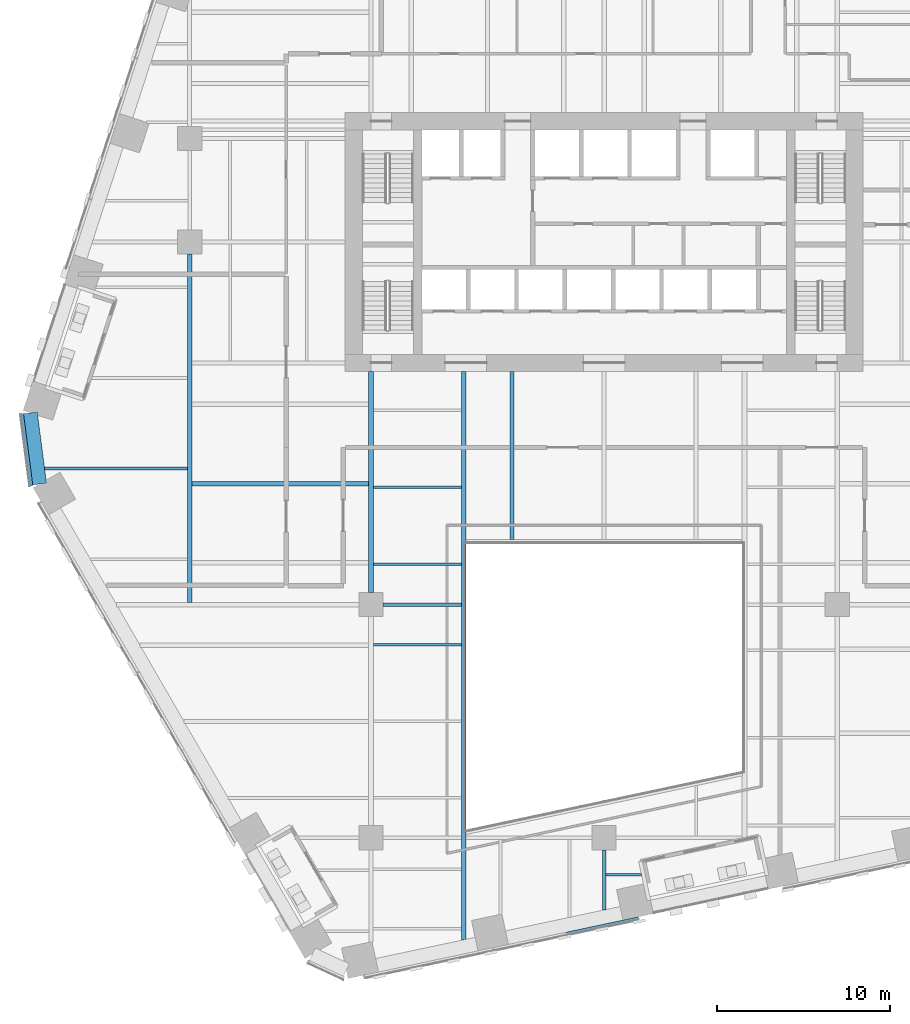
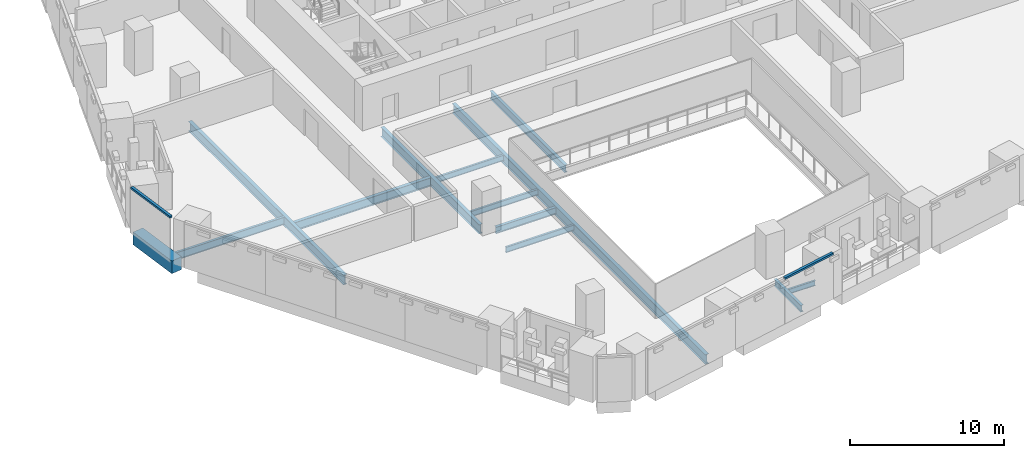
# One storey, part 4 of 31: 13 beams, 2 members, 2 elements without a shape of their own.
"""IFC4 building model written with IfcOpenShell, lengths in metres."""

from ifc_helpers import new_model, si_unit, direction, frame, origin, origin_2d, place, context, subcontext, project, spatial, rectangle, i_section, extrude, material, layer, layer_set, material_profile, profile_set, type_object, element, aggregate, save


model = new_model("IFC4")

# Units and contexts
model_context = context("Model", 3, precision=1e-05, world=origin(), true_north=direction((0.0, 1.0)))
body_context = subcontext(model_context, "Body", "Model", "MODEL_VIEW")
ifc_project = project(units=[si_unit("LENGTHUNIT", "METRE"), si_unit("AREAUNIT", "SQUARE_METRE"), si_unit("VOLUMEUNIT", "CUBIC_METRE"), si_unit("PLANEANGLEUNIT", "RADIAN"), si_unit("MASSUNIT", "GRAM", prefix="KILO")], contexts=[model_context])

# Site, building, storey
site_placement = place(None, origin())
site = spatial("IfcSite", under=ifc_project, at=site_placement, CompositionType="ELEMENT")
building_placement = place(site_placement, origin())
building = spatial("IfcBuilding", under=site, at=building_placement, Name="Isthmus Gate Tower", CompositionType="ELEMENT")
storey_placement = place(building_placement, frame((0.0, 0.0, 39.64990234375)))
storey = spatial("IfcBuildingStorey", under=building, at=storey_placement, Name="L07", CompositionType="ELEMENT", Elevation=39.64990234375)

# Curtain wall, member
ifc_material_1 = material(Name="Aluminium, pale champagne anodised", Category="aluminium")
ifc_layer = layer(ifc_material_1, 0.199951171875)
ifc_layer_set = layer_set([ifc_layer], Name="CW-1 UNITISED CURTAIN WALL 200 DEEP")
curtain_wall_type = type_object("IfcCurtainWallType", Name="CW-1 UNITISED CURTAIN WALL 200 DEEP", PredefinedType="NOTDEFINED", material=ifc_layer_set)
curtain_wall_1_placement = place(storey_placement, origin())
curtain_wall_1 = element("IfcCurtainWall", 1, at=curtain_wall_1_placement, inside=storey, type_object=curtain_wall_type, Name="CW-1 NW-SW L07", PredefinedType="NOTDEFINED")
ifc_material_2 = material(Name="Aluminium, pale champagne anodised", Category="aluminium")
ifc_material_profile_1 = material_profile(ifc_material_2, rectangle(XDim=0.199951171875, YDim=0.14990234375, at=origin_2d()), Name="200x150")
ifc_profile_set_1 = profile_set([ifc_material_profile_1], Name="Aluminium, pale champagne anodised")
member_type = type_object("IfcMemberType", Name="CW-1 TRANSOM 200 X 150", PredefinedType="USERDEFINED", material=ifc_profile_set_1)
member_1_placement = place(storey_placement, frame((-33.71923828125, -2.474609375, 3.5751953125), z_axis=(0.129206893318, -0.991617657527, 0.0), x_axis=(0.991617657527, 0.129206893318, 0.0)))
member_1 = element("IfcMember", 2, at=member_1_placement, type_object=member_type, Name="CW-1 transom", ObjectType="TRANSOM", PredefinedType="USERDEFINED", context=body_context, shape_type="SweptSolid", body=[
    extrude(rectangle(XDim=0.199951171875, YDim=0.14990234375, at=origin_2d()), origin(), (0.0, 0.0, 1.0), 4.181640625),
])
aggregate(curtain_wall_1, [member_1])

curtain_wall_2_placement = place(storey_placement, origin())
curtain_wall_2 = element("IfcCurtainWall", 3, at=curtain_wall_2_placement, inside=storey, type_object=curtain_wall_type, Name="CW-1 S L07", PredefinedType="NOTDEFINED")
member_2_placement = place(storey_placement, frame((-2.1435546875, -32.557861328125, 3.5751953125), z_axis=(0.978150351608, 0.20789874855, 0.0), x_axis=(-0.20789874855, 0.978150351608, 0.0)))
member_2 = element("IfcMember", 4, at=member_2_placement, type_object=member_type, Name="CW-1 transom", ObjectType="TRANSOM", PredefinedType="USERDEFINED", context=body_context, shape_type="SweptSolid", body=[
    extrude(rectangle(XDim=0.199951171875, YDim=0.14990234375, at=origin_2d()), origin(), (0.0, 0.0, 1.0), 4.234619140625),
])
aggregate(curtain_wall_2, [member_2])

# Beams
ifc_material_3 = material(Name="Concrete f'c 70 MPa", Category="concrete")
ifc_material_profile_2 = material_profile(ifc_material_3, rectangle(XDim=0.800048828125, YDim=1.0, at=origin_2d()), Name="RC 800X1000")
ifc_profile_set_2 = profile_set([ifc_material_profile_2], Name="Concrete f'c 70 MPa")
beam_type_1 = type_object("IfcBeamType", Name="RC SPANDREL 800 X 1000", PredefinedType="SPANDREL", material=ifc_profile_set_2)
beam_1_placement = place(storey_placement, frame((-32.6884765625, -6.515380859375, -0.5), z_axis=(-0.129170777359, 0.991622362735, 0.0), x_axis=(-0.991622362735, -0.129170777359, 0.0)))
element("IfcBeam", 5, at=beam_1_placement, inside=storey, type_object=beam_type_1, Name="str-spandrel-L07-17", PredefinedType="SPANDREL", context=body_context, shape_type="SweptSolid", body=[
    extrude(rectangle(XDim=0.800048828125, YDim=1.0, at=origin_2d()), origin(), (0.0, 0.0, 1.0), 4.15234375),
])
ifc_material_4 = material(Name="Structural steel ASTM A992 Gr 50", Category="steel")
ifc_material_profile_3 = material_profile(ifc_material_4, i_section(OverallWidth=0.1396484375, OverallDepth=0.4033203125, WebThickness=0.00634765625, FlangeThickness=0.010986328125, at=origin_2d()), Name="W16X31")
ifc_profile_set_3 = profile_set([ifc_material_profile_3], Name="Structural steel ASTM A992 Gr 50")
beam_type_2 = type_object("IfcBeamType", Name="STEEL FLOOR BEAM W16X31", PredefinedType="JOIST", material=ifc_profile_set_3)
beam_2_placement = place(storey_placement, frame((0.104736328125, -29.136962890625, -0.3515625), z_axis=(1.0, 0.0, 0.0), x_axis=(0.0, 1.0, 0.0)))
element("IfcBeam", 6, at=beam_2_placement, inside=storey, type_object=beam_type_2, Name="str-beam-L07-19-00", PredefinedType="JOIST", context=body_context, shape_type="SweptSolid", body=[
    extrude(i_section(OverallWidth=0.1396484375, OverallDepth=0.4033203125, WebThickness=0.00634765625, FlangeThickness=0.010986328125, at=origin_2d()), origin(), (0.0, 0.0, 1.0), 2.059814453125),
])
ifc_material_5 = material(Name="Structural steel ASTM A992 Gr 50", Category="steel")
ifc_material_profile_4 = material_profile(ifc_material_5, i_section(OverallWidth=0.15234375, OverallDepth=0.45068359375, WebThickness=0.0078125, FlangeThickness=0.010986328125, at=origin_2d()), Name="W18X35")
ifc_profile_set_4 = profile_set([ifc_material_profile_4], Name="Structural steel ASTM A992 Gr 50")
beam_type_3 = type_object("IfcBeamType", Name="STEEL FLOOR BEAM W18X35", PredefinedType="JOIST", material=ifc_profile_set_4)
for number, where, z_axis, x_axis, name in (
    (7, (-13.3681640625, -11.16259765625, -0.375244140625), (1.0, 0.0, 0.0), (0.0, 1.0, 0.0), "str-beam-L07-13-00"),
    (8, (-13.3681640625, -6.697509765625, -0.375244140625), (1.0, 0.0, 0.0), (0.0, 1.0, 0.0), "str-beam-L07-13-01"),
    (9, (-13.3681640625, -15.81982421875, -0.375244140625), (1.0, 0.0, 0.0), (0.0, 1.0, 0.0), "str-beam-L07-14-02"),
):
    element("IfcBeam", number, at=place(storey_placement, frame(where, z_axis=z_axis, x_axis=x_axis)), inside=storey, type_object=beam_type_3, Name=name, PredefinedType="JOIST", context=body_context, shape_type="SweptSolid", body=[
        extrude(i_section(OverallWidth=0.15234375, OverallDepth=0.45068359375, WebThickness=0.0078125, FlangeThickness=0.010986328125, at=origin_2d()), origin(), (0.0, 0.0, 1.0), 5.1015625),
    ])
ifc_material_6 = material(Name="Structural steel ASTM A992 Gr 50", Category="steel")
ifc_material_profile_5 = material_profile(ifc_material_6, i_section(OverallWidth=0.177734375, OverallDepth=0.60009765625, WebThickness=0.009521484375, FlangeThickness=0.0126953125, at=origin_2d()), Name="W24X55")
ifc_profile_set_5 = profile_set([ifc_material_profile_5], Name="Structural steel ASTM A992 Gr 50")
beam_type_4 = type_object("IfcBeamType", Name="STEEL FLOOR BEAM W24X55", PredefinedType="JOIST", material=ifc_profile_set_5)
beam_3_placement = place(storey_placement, frame((-32.401123046875, -5.625, -0.449951171875), z_axis=(1.0, 0.0, 0.0), x_axis=(0.0, 1.0, 0.0)))
element("IfcBeam", 10, at=beam_3_placement, inside=storey, type_object=beam_type_4, Name="str-beam-L07-01-01", PredefinedType="JOIST", context=body_context, shape_type="SweptSolid", body=[
    extrude(i_section(OverallWidth=0.177734375, OverallDepth=0.60009765625, WebThickness=0.009521484375, FlangeThickness=0.0126953125, at=origin_2d()), origin(), (0.0, 0.0, 1.0), 8.267822265625),
])
ifc_material_7 = material(Name="Structural steel ASTM A992 Gr 50", Category="steel")
ifc_material_profile_6 = material_profile(ifc_material_7, i_section(OverallWidth=0.228515625, OverallDepth=0.603271484375, WebThickness=0.010986328125, FlangeThickness=0.014404296875, at=origin_2d()), Name="W24X68")
ifc_profile_set_6 = profile_set([ifc_material_profile_6], Name="Structural steel ASTM A992 Gr 50")
beam_type_5 = type_object("IfcBeamType", Name="STEEL FLOOR BEAM W24X68", PredefinedType="JOIST", material=ifc_profile_set_6)
beam_4_placement = place(storey_placement, frame((-5.333251953125, -9.7333984375, -0.451416015625), z_axis=(0.0, 1.0, 0.0), x_axis=(-1.0, 0.0, 0.0)))
element("IfcBeam", 11, at=beam_4_placement, inside=storey, type_object=beam_type_5, Name="str-beam-L07-18-00", PredefinedType="JOIST", context=body_context, shape_type="SweptSolid", body=[
    extrude(i_section(OverallWidth=0.228515625, OverallDepth=0.603271484375, WebThickness=0.010986328125, FlangeThickness=0.014404296875, at=origin_2d()), origin(), (0.0, 0.0, 1.0), 9.7333984375),
])
ifc_material_8 = material(Name="Structural steel ASTM A992 Gr 50", Category="steel")
ifc_material_profile_7 = material_profile(ifc_material_8, i_section(OverallWidth=0.25390625, OverallDepth=0.679443359375, WebThickness=0.010986328125, FlangeThickness=0.015869140625, at=origin_2d()), Name="W27X84")
ifc_profile_set_7 = profile_set([ifc_material_profile_7], Name="Structural steel ASTM A992 Gr 50")
beam_type_6 = type_object("IfcBeamType", Name="STEEL FLOOR BEAM W27X84", PredefinedType="JOIST", material=ifc_profile_set_7)
beam_5_placement = place(storey_placement, frame((-23.86669921875, -6.490478515625, -0.489501953125), z_axis=(1.0, 0.0, 0.0), x_axis=(0.0, 1.0, 0.0)))
element("IfcBeam", 12, at=beam_5_placement, inside=storey, type_object=beam_type_6, Name="str-beam-L07-08-01", PredefinedType="JOIST", context=body_context, shape_type="SweptSolid", body=[
    extrude(i_section(OverallWidth=0.25390625, OverallDepth=0.679443359375, WebThickness=0.010986328125, FlangeThickness=0.015869140625, at=origin_2d()), origin(), (0.0, 0.0, 1.0), 10.23486328125),
])
ifc_material_9 = material(Name="Structural steel ASTM A992 Gr 50", Category="steel")
ifc_material_profile_8 = material_profile(ifc_material_9, i_section(OverallWidth=0.20947265625, OverallDepth=0.533447265625, WebThickness=0.009521484375, FlangeThickness=0.015869140625, at=origin_2d()), Name="W21X62")
ifc_profile_set_8 = profile_set([ifc_material_profile_8], Name="Structural steel ASTM A992 Gr 50")
beam_type_7 = type_object("IfcBeamType", Name="STEEL GIRDER W21X62", PredefinedType="BEAM", material=ifc_profile_set_8)
beam_6_placement = place(storey_placement, frame((-12.800048828125, -13.5, -0.41650390625), z_axis=(1.0, 0.0, 0.0), x_axis=(0.0, 1.0, 0.0)))
element("IfcBeam", 13, at=beam_6_placement, inside=storey, type_object=beam_type_7, Name="str-girder-L07-06", PredefinedType="BEAM", context=body_context, shape_type="SweptSolid", body=[
    extrude(i_section(OverallWidth=0.20947265625, OverallDepth=0.533447265625, WebThickness=0.009521484375, FlangeThickness=0.015869140625, at=origin_2d()), origin(), (0.0, 0.0, 1.0), 4.533447265625),
])
beam_7_placement = place(storey_placement, frame((0.0, -31.18212890625, -0.41650390625), z_axis=(0.0, 1.0, 0.0), x_axis=(-1.0, 0.0, 0.0)))
element("IfcBeam", 14, at=beam_7_placement, inside=storey, type_object=beam_type_7, Name="str-girder-L07-28", PredefinedType="BEAM", context=body_context, shape_type="SweptSolid", body=[
    extrude(i_section(OverallWidth=0.20947265625, OverallDepth=0.533447265625, WebThickness=0.009521484375, FlangeThickness=0.015869140625, at=origin_2d()), origin(), (0.0, 0.0, 1.0), 3.482177734375),
])
ifc_material_10 = material(Name="Structural steel ASTM A992 Gr 50", Category="steel")
ifc_material_profile_9 = material_profile(ifc_material_10, i_section(OverallWidth=0.2666015625, OverallDepth=0.7587890625, WebThickness=0.014404296875, FlangeThickness=0.01904296875, at=origin_2d()), Name="W30X108")
ifc_profile_set_9 = profile_set([ifc_material_profile_9], Name="Structural steel ASTM A992 Gr 50")
beam_type_8 = type_object("IfcBeamType", Name="STEEL GIRDER W30X108", PredefinedType="BEAM", material=ifc_profile_set_9)
beam_8_placement = place(storey_placement, frame((-24.0, -13.36669921875, -0.529296875), z_axis=(0.0, 1.0, 0.0), x_axis=(-1.0, 0.0, 0.0)))
element("IfcBeam", 15, at=beam_8_placement, inside=storey, type_object=beam_type_8, Name="str-girder-L07-20", PredefinedType="BEAM", context=body_context, shape_type="SweptSolid", body=[
    extrude(i_section(OverallWidth=0.2666015625, OverallDepth=0.7587890625, WebThickness=0.014404296875, FlangeThickness=0.01904296875, at=origin_2d()), origin(), (0.0, 0.0, 1.0), 20.166748046875),
])
ifc_material_11 = material(Name="Structural steel ASTM A992 Gr 50", Category="steel")
ifc_material_profile_10 = material_profile(ifc_material_11, i_section(OverallWidth=0.263427734375, OverallDepth=0.749267578125, WebThickness=0.0126953125, FlangeThickness=0.015869140625, at=origin_2d()), Name="W30X90")
ifc_profile_set_10 = profile_set([ifc_material_profile_10], Name="Structural steel ASTM A992 Gr 50")
beam_type_9 = type_object("IfcBeamType", Name="STEEL GIRDER W30X90", PredefinedType="BEAM", material=ifc_profile_set_10)
beam_9_placement = place(storey_placement, frame((-13.5, -12.800048828125, -0.524658203125), z_axis=(0.0, 1.0, 0.0), x_axis=(-1.0, 0.0, 0.0)))
element("IfcBeam", 16, at=beam_9_placement, inside=storey, type_object=beam_type_9, Name="str-girder-L07-25", PredefinedType="BEAM", context=body_context, shape_type="SweptSolid", body=[
    extrude(i_section(OverallWidth=0.263427734375, OverallDepth=0.749267578125, WebThickness=0.0126953125, FlangeThickness=0.015869140625, at=origin_2d()), origin(), (0.0, 0.0, 1.0), 12.800048828125),
])
ifc_material_12 = material(Name="Structural steel ASTM A992 Gr 50", Category="steel")
ifc_material_profile_11 = material_profile(ifc_material_12, i_section(OverallWidth=0.2666015625, OverallDepth=0.7587890625, WebThickness=0.014404296875, FlangeThickness=0.01904296875, at=origin_2d()), Name="W30X108")
ifc_profile_set_11 = profile_set([ifc_material_profile_11], Name="Structural steel ASTM A992 Gr 50")
beam_type_10 = type_object("IfcBeamType", Name="STEEL TRIMMER W30X108", PredefinedType="BEAM", material=ifc_profile_set_11)
beam_10_placement = place(storey_placement, frame((-8.13330078125, 0.0, -0.529296875), z_axis=(0.0, -1.0, 0.0), x_axis=(1.0, 0.0, 0.0)))
element("IfcBeam", 17, at=beam_10_placement, inside=storey, type_object=beam_type_10, Name="str-trimmer-L07-02", PredefinedType="BEAM", context=body_context, shape_type="SweptSolid", body=[
    extrude(i_section(OverallWidth=0.2666015625, OverallDepth=0.7587890625, WebThickness=0.014404296875, FlangeThickness=0.01904296875, at=origin_2d()), origin(), (0.0, 0.0, 1.0), 32.910888671875),
])

save(model, "model.ifc")
